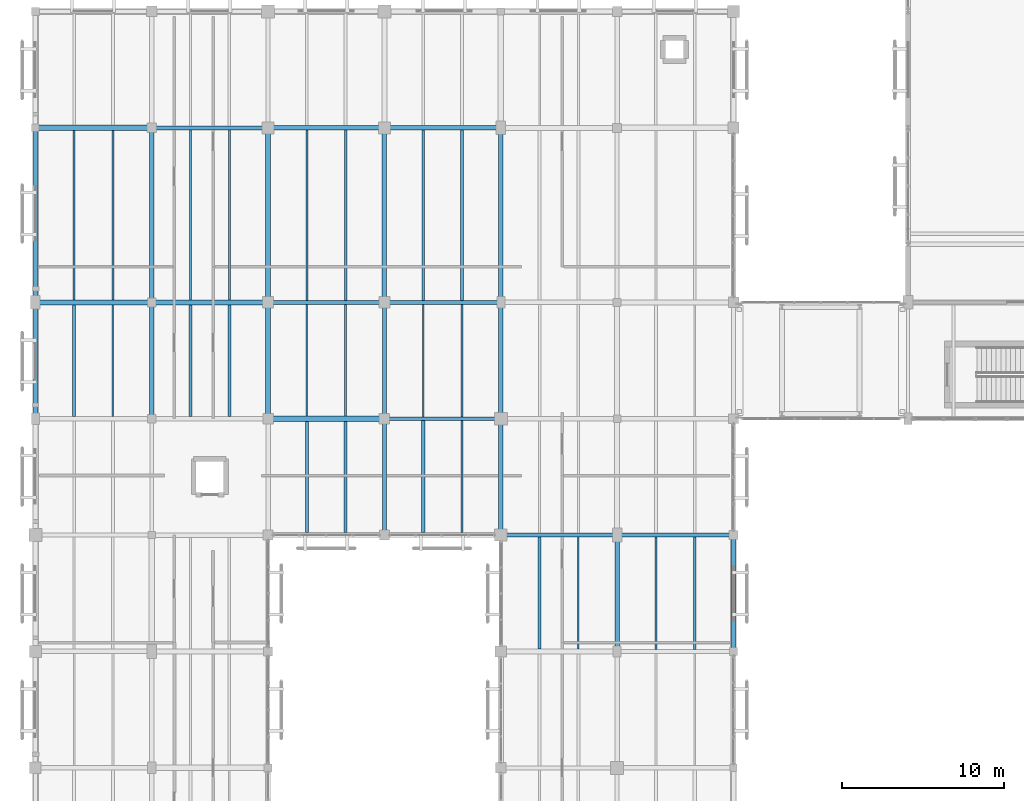
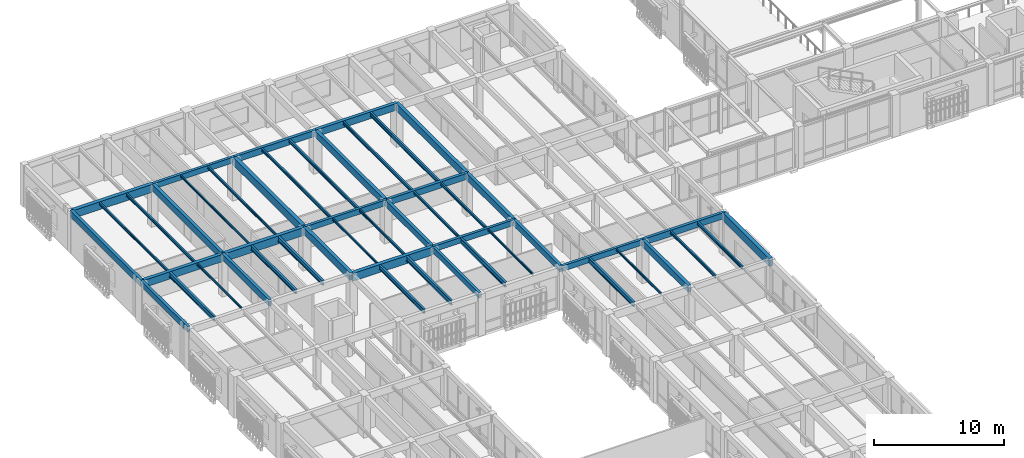
# One storey, part 62 of 170: 50 beams.
"""IFC4 building model written with IfcOpenShell, lengths in metres."""

from ifc_helpers import new_model, si_unit, direction, frame, origin, origin_2d, place, context, subcontext, project, spatial, rectangle, i_section, extrude, material, material_profile, profile_set, type_object, element, save


model = new_model("IFC4")

# Units and contexts
model_context = context("Model", 3, precision=1e-05, world=origin(), true_north=direction((0.0, 1.0)))
body_context = subcontext(model_context, "Body", "Model", "MODEL_VIEW")
ifc_project = project(units=[si_unit("LENGTHUNIT", "METRE"), si_unit("AREAUNIT", "SQUARE_METRE"), si_unit("VOLUMEUNIT", "CUBIC_METRE"), si_unit("PLANEANGLEUNIT", "RADIAN"), si_unit("MASSUNIT", "GRAM", prefix="KILO")], contexts=[model_context])

# Site, building, storey
site_placement = place(None, origin())
site = spatial("IfcSite", under=ifc_project, at=site_placement, CompositionType="ELEMENT")
building_placement = place(site_placement, origin())
building = spatial("IfcBuilding", under=site, at=building_placement, Name="Mazaris Harbour Polytechnic", CompositionType="ELEMENT")
storey_placement = place(building_placement, frame((0.0, 0.0, 5.39990234375)))
storey = spatial("IfcBuildingStorey", under=building, at=storey_placement, Name="L01", CompositionType="ELEMENT", Elevation=5.39990234375)

# Beams
ifc_material_1 = material(Name="Glulam GL32h", Category="wood")
ifc_material_profile_1 = material_profile(ifc_material_1, rectangle(XDim=0.239990234375, YDim=0.52001953125, at=origin_2d()), Name="RECT240x520")
ifc_profile_set_1 = profile_set([ifc_material_profile_1], Name="Glulam GL32h")
beam_type_1 = type_object("IfcBeamType", Name="Glulam Girder 240x520", PredefinedType="BEAM", material=ifc_profile_set_1)
for number, where, z_axis, x_axis, name in (
    (1, (28.800048828125, 68.39990234375, 3.630126953125), (1.0, 0.0, 0.0), (0.0, 1.0, 0.0), "V4 L01 Girder 1670"),
    (2, (21.60009765625, 75.60009765625, 3.630126953125), (1.0, 0.0, 0.0), (0.0, 1.0, 0.0), "V4 L01 Girder 1675"),
):
    element("IfcBeam", number, at=place(storey_placement, frame(where, z_axis=z_axis, x_axis=x_axis)), inside=storey, type_object=beam_type_1, Name=name, PredefinedType="BEAM", context=body_context, shape_type="SweptSolid", body=[
        extrude(rectangle(XDim=0.239990234375, YDim=0.52001953125, at=origin_2d()), origin(), (0.0, 0.0, 1.0), 7.199951171875),
    ])
beam_1_placement = place(storey_placement, frame((14.39990234375, 82.800048828125, 3.630126953125), z_axis=(1.0, 0.0, 0.0), x_axis=(0.0, 1.0, 0.0)))
element("IfcBeam", 3, at=beam_1_placement, inside=storey, type_object=beam_type_1, Name="V4 L01 Girder 1680", PredefinedType="BEAM", context=body_context, shape_type="SweptSolid", body=[
    extrude(rectangle(XDim=0.239990234375, YDim=0.52001953125, at=origin_2d()), origin(), (0.0, 0.0, 1.0), 7.2001953125),
])
beam_2_placement = place(storey_placement, frame((7.199951171875, 93.60009765625, 3.630126953125), z_axis=(1.0, 0.0, 0.0), x_axis=(0.0, 1.0, 0.0)))
element("IfcBeam", 4, at=beam_2_placement, inside=storey, type_object=beam_type_1, Name="V4 L01 Girder 1685", PredefinedType="BEAM", context=body_context, shape_type="SweptSolid", body=[
    extrude(rectangle(XDim=0.239990234375, YDim=0.52001953125, at=origin_2d()), origin(), (0.0, 0.0, 1.0), 7.199951171875),
])
beam_3_placement = place(storey_placement, frame((21.60009765625, 68.39990234375, 3.630126953125), z_axis=(0.0, 1.0, 0.0), x_axis=(-1.0, 0.0, 0.0)))
element("IfcBeam", 5, at=beam_3_placement, inside=storey, type_object=beam_type_1, Name="V4 L01 Tie Girder 1735", PredefinedType="BEAM", context=body_context, shape_type="SweptSolid", body=[
    extrude(rectangle(XDim=0.239990234375, YDim=0.52001953125, at=origin_2d()), origin(), (0.0, 0.0, 1.0), 7.2001953125),
])
ifc_material_2 = material(Name="Glulam GL32h", Category="wood")
ifc_material_profile_2 = material_profile(ifc_material_2, rectangle(XDim=0.239990234375, YDim=0.52001953125, at=origin_2d()), Name="RECT240x520")
ifc_profile_set_2 = profile_set([ifc_material_profile_2], Name="Glulam GL32h")
beam_type_2 = type_object("IfcBeamType", Name="Glulam Girder 240x520 Exterior", PredefinedType="BEAM", material=ifc_profile_set_2)
beam_4_placement = place(storey_placement, frame((0.0, 75.60009765625, 3.630126953125), z_axis=(0.0, 1.0, 0.0), x_axis=(-1.0, 0.0, 0.0)))
element("IfcBeam", 6, at=beam_4_placement, inside=storey, type_object=beam_type_2, Name="V4 L01 Tie Girder 1705", PredefinedType="BEAM", context=body_context, shape_type="SweptSolid", body=[
    extrude(rectangle(XDim=0.239990234375, YDim=0.52001953125, at=origin_2d()), origin(), (0.0, 0.0, 1.0), 7.199951171875),
])
ifc_material_3 = material(Name="Glulam GL32h", Category="wood")
ifc_material_profile_3 = material_profile(ifc_material_3, rectangle(XDim=0.260009765625, YDim=0.580078125, at=origin_2d()), Name="RECT260x580")
ifc_profile_set_3 = profile_set([ifc_material_profile_3], Name="Glulam GL32h")
beam_type_3 = type_object("IfcBeamType", Name="Glulam Girder 260x580", PredefinedType="BEAM", material=ifc_profile_set_3)
for number, where, z_axis, x_axis, name in (
    (7, (36.0, 68.39990234375, 3.60009765625), (1.0, 0.0, 0.0), (0.0, 1.0, 0.0), "V4 L01 Girder 1671"),
    (8, (21.60009765625, 82.800048828125, 3.60009765625), (1.0, 0.0, 0.0), (0.0, 1.0, 0.0), "V4 L01 Girder 1681"),
):
    element("IfcBeam", number, at=place(storey_placement, frame(where, z_axis=z_axis, x_axis=x_axis)), inside=storey, type_object=beam_type_3, Name=name, PredefinedType="BEAM", context=body_context, shape_type="SweptSolid", body=[
        extrude(rectangle(XDim=0.260009765625, YDim=0.580078125, at=origin_2d()), origin(), (0.0, 0.0, 1.0), 7.199951171875),
    ])
beam_5_placement = place(storey_placement, frame((14.39990234375, 93.60009765625, 3.60009765625), z_axis=(1.0, 0.0, 0.0), x_axis=(0.0, 1.0, 0.0)))
element("IfcBeam", 9, at=beam_5_placement, inside=storey, type_object=beam_type_3, Name="V4 L01 Girder 1686", PredefinedType="BEAM", context=body_context, shape_type="SweptSolid", body=[
    extrude(rectangle(XDim=0.260009765625, YDim=0.580078125, at=origin_2d()), origin(), (0.0, 0.0, 1.0), 7.2001953125),
])
for number, where, z_axis, x_axis, name in (
    (10, (7.199951171875, 75.60009765625, 3.60009765625), (0.0, 1.0, 0.0), (-1.0, 0.0, 0.0), "V4 L01 Tie Girder 1716"),
    (11, (21.60009765625, 75.60009765625, 3.60009765625), (0.0, 1.0, 0.0), (-1.0, 0.0, 0.0), "V4 L01 Tie Girder 1736"),
):
    element("IfcBeam", number, at=place(storey_placement, frame(where, z_axis=z_axis, x_axis=x_axis)), inside=storey, type_object=beam_type_3, Name=name, PredefinedType="BEAM", context=body_context, shape_type="SweptSolid", body=[
        extrude(rectangle(XDim=0.260009765625, YDim=0.580078125, at=origin_2d()), origin(), (0.0, 0.0, 1.0), 7.199951171875),
    ])
beam_6_placement = place(storey_placement, frame((28.800048828125, 68.39990234375, 3.60009765625), z_axis=(0.0, 1.0, 0.0), x_axis=(-1.0, 0.0, 0.0)))
element("IfcBeam", 12, at=beam_6_placement, inside=storey, type_object=beam_type_3, Name="V4 L01 Tie Girder 1746", PredefinedType="BEAM", context=body_context, shape_type="SweptSolid", body=[
    extrude(rectangle(XDim=0.260009765625, YDim=0.580078125, at=origin_2d()), origin(), (0.0, 0.0, 1.0), 7.2001953125),
])
ifc_material_4 = material(Name="Glulam GL32h", Category="wood")
ifc_material_profile_4 = material_profile(ifc_material_4, rectangle(XDim=0.260009765625, YDim=0.580078125, at=origin_2d()), Name="RECT260x580")
ifc_profile_set_4 = profile_set([ifc_material_profile_4], Name="Glulam GL32h")
beam_type_4 = type_object("IfcBeamType", Name="Glulam Girder 260x580 Exterior", PredefinedType="BEAM", material=ifc_profile_set_4)
beam_7_placement = place(storey_placement, frame((0.0, 82.800048828125, 3.60009765625), z_axis=(0.0, 1.0, 0.0), x_axis=(-1.0, 0.0, 0.0)))
element("IfcBeam", 13, at=beam_7_placement, inside=storey, type_object=beam_type_4, Name="V4 L01 Tie Girder 1706", PredefinedType="BEAM", context=body_context, shape_type="SweptSolid", body=[
    extrude(rectangle(XDim=0.260009765625, YDim=0.580078125, at=origin_2d()), origin(), (0.0, 0.0, 1.0), 10.800048828125),
])
ifc_material_5 = material(Name="Glulam GL32h", Category="wood")
ifc_material_profile_5 = material_profile(ifc_material_5, rectangle(XDim=0.280029296875, YDim=0.639892578125, at=origin_2d()), Name="RECT280x640")
ifc_profile_set_5 = profile_set([ifc_material_profile_5], Name="Glulam GL32h")
beam_type_5 = type_object("IfcBeamType", Name="Glulam Girder 280x640", PredefinedType="BEAM", material=ifc_profile_set_5)
beam_8_placement = place(storey_placement, frame((21.60009765625, 93.60009765625, 3.570068359375), z_axis=(1.0, 0.0, 0.0), x_axis=(0.0, 1.0, 0.0)))
element("IfcBeam", 14, at=beam_8_placement, inside=storey, type_object=beam_type_5, Name="V4 L01 Girder 1687", PredefinedType="BEAM", context=body_context, shape_type="SweptSolid", body=[
    extrude(rectangle(XDim=0.280029296875, YDim=0.639892578125, at=origin_2d()), origin(), (0.0, 0.0, 1.0), 7.199951171875),
])
for number, where, z_axis, x_axis, name in (
    (15, (7.199951171875, 82.800048828125, 3.570068359375), (0.0, 1.0, 0.0), (-1.0, 0.0, 0.0), "V4 L01 Tie Girder 1717"),
    (16, (21.60009765625, 82.800048828125, 3.570068359375), (0.0, 1.0, 0.0), (-1.0, 0.0, 0.0), "V4 L01 Tie Girder 1737"),
):
    element("IfcBeam", number, at=place(storey_placement, frame(where, z_axis=z_axis, x_axis=x_axis)), inside=storey, type_object=beam_type_5, Name=name, PredefinedType="BEAM", context=body_context, shape_type="SweptSolid", body=[
        extrude(rectangle(XDim=0.280029296875, YDim=0.639892578125, at=origin_2d()), origin(), (0.0, 0.0, 1.0), 10.800048828125),
    ])
for number, where, z_axis, x_axis, name in (
    (17, (28.800048828125, 75.60009765625, 3.570068359375), (0.0, 1.0, 0.0), (-1.0, 0.0, 0.0), "V4 L01 Tie Girder 1747"),
    (18, (36.0, 61.199951171875, 3.570068359375), (0.0, 1.0, 0.0), (-1.0, 0.0, 0.0), "V4 L01 Tie Girder 1757"),
):
    element("IfcBeam", number, at=place(storey_placement, frame(where, z_axis=z_axis, x_axis=x_axis)), inside=storey, type_object=beam_type_5, Name=name, PredefinedType="BEAM", context=body_context, shape_type="SweptSolid", body=[
        extrude(rectangle(XDim=0.280029296875, YDim=0.639892578125, at=origin_2d()), origin(), (0.0, 0.0, 1.0), 7.199951171875),
    ])
ifc_material_6 = material(Name="Glulam GL32h", Category="wood")
ifc_material_profile_6 = material_profile(ifc_material_6, rectangle(XDim=0.300048828125, YDim=0.679931640625, at=origin_2d()), Name="RECT300x680")
ifc_profile_set_6 = profile_set([ifc_material_profile_6], Name="Glulam GL32h")
beam_type_6 = type_object("IfcBeamType", Name="Glulam Girder 300x680", PredefinedType="BEAM", material=ifc_profile_set_6)
for number, where, z_axis, x_axis, name in (
    (19, (0.0, 82.800048828125, 3.550048828125), (1.0, 0.0, 0.0), (0.0, 1.0, 0.0), "V4 L01 Girder 1678"),
    (20, (14.39990234375, 75.60009765625, 3.550048828125), (0.0, 1.0, 0.0), (-1.0, 0.0, 0.0), "V4 L01 Tie Girder 1728"),
):
    element("IfcBeam", number, at=place(storey_placement, frame(where, z_axis=z_axis, x_axis=x_axis)), inside=storey, type_object=beam_type_6, Name=name, PredefinedType="BEAM", context=body_context, shape_type="SweptSolid", body=[
        extrude(rectangle(XDim=0.300048828125, YDim=0.679931640625, at=origin_2d()), origin(), (0.0, 0.0, 1.0), 7.199951171875),
    ])
beam_9_placement = place(storey_placement, frame((28.800048828125, 82.800048828125, 3.550048828125), z_axis=(0.0, 1.0, 0.0), x_axis=(-1.0, 0.0, 0.0)))
element("IfcBeam", 21, at=beam_9_placement, inside=storey, type_object=beam_type_6, Name="V4 L01 Tie Girder 1748", PredefinedType="BEAM", context=body_context, shape_type="SweptSolid", body=[
    extrude(rectangle(XDim=0.300048828125, YDim=0.679931640625, at=origin_2d()), origin(), (0.0, 0.0, 1.0), 10.800048828125),
])
ifc_material_7 = material(Name="Glulam GL32h", Category="wood")
ifc_material_profile_7 = material_profile(ifc_material_7, rectangle(XDim=0.320068359375, YDim=0.739990234375, at=origin_2d()), Name="RECT320x740")
ifc_profile_set_7 = profile_set([ifc_material_profile_7], Name="Glulam GL32h")
beam_type_7 = type_object("IfcBeamType", Name="Glulam Girder 320x740", PredefinedType="BEAM", material=ifc_profile_set_7)
beam_10_placement = place(storey_placement, frame((14.39990234375, 75.60009765625, 3.52001953125), z_axis=(1.0, 0.0, 0.0), x_axis=(0.0, 1.0, 0.0)))
element("IfcBeam", 22, at=beam_10_placement, inside=storey, type_object=beam_type_7, Name="V4 L01 Girder 1674", PredefinedType="BEAM", context=body_context, shape_type="SweptSolid", body=[
    extrude(rectangle(XDim=0.320068359375, YDim=0.739990234375, at=origin_2d()), origin(), (0.0, 0.0, 1.0), 7.2001953125),
])
for number, where, z_axis, x_axis, name in (
    (23, (7.199951171875, 82.800048828125, 3.52001953125), (1.0, 0.0, 0.0), (0.0, 1.0, 0.0), "V4 L01 Girder 1679"),
    (24, (0.0, 93.60009765625, 3.52001953125), (1.0, 0.0, 0.0), (0.0, 1.0, 0.0), "V4 L01 Girder 1684"),
):
    element("IfcBeam", number, at=place(storey_placement, frame(where, z_axis=z_axis, x_axis=x_axis)), inside=storey, type_object=beam_type_7, Name=name, PredefinedType="BEAM", context=body_context, shape_type="SweptSolid", body=[
        extrude(rectangle(XDim=0.320068359375, YDim=0.739990234375, at=origin_2d()), origin(), (0.0, 0.0, 1.0), 7.199951171875),
    ])
beam_11_placement = place(storey_placement, frame((14.39990234375, 82.800048828125, 3.52001953125), z_axis=(0.0, 1.0, 0.0), x_axis=(-1.0, 0.0, 0.0)))
element("IfcBeam", 25, at=beam_11_placement, inside=storey, type_object=beam_type_7, Name="V4 L01 Tie Girder 1729", PredefinedType="BEAM", context=body_context, shape_type="SweptSolid", body=[
    extrude(rectangle(XDim=0.320068359375, YDim=0.739990234375, at=origin_2d()), origin(), (0.0, 0.0, 1.0), 10.800048828125),
])
ifc_material_8 = material(Name="Glulam GL32h", Category="wood")
ifc_material_profile_8 = material_profile(ifc_material_8, rectangle(XDim=0.320068359375, YDim=0.739990234375, at=origin_2d()), Name="RECT320x740")
ifc_profile_set_8 = profile_set([ifc_material_profile_8], Name="Glulam GL32h")
beam_type_8 = type_object("IfcBeamType", Name="Glulam Girder 320x740 Exterior", PredefinedType="BEAM", material=ifc_profile_set_8)
beam_12_placement = place(storey_placement, frame((43.199951171875, 61.199951171875, 3.52001953125), z_axis=(0.0, 1.0, 0.0), x_axis=(-1.0, 0.0, 0.0)))
element("IfcBeam", 26, at=beam_12_placement, inside=storey, type_object=beam_type_8, Name="V4 L01 Tie Girder 1769", PredefinedType="BEAM", context=body_context, shape_type="SweptSolid", body=[
    extrude(rectangle(XDim=0.320068359375, YDim=0.739990234375, at=origin_2d()), origin(), (0.0, 0.0, 1.0), 7.199951171875),
])
ifc_material_9 = material(Name="Steel S355", Category="steel")
ifc_material_profile_9 = material_profile(ifc_material_9, i_section(OverallWidth=0.10009765625, OverallDepth=0.199951171875, WebThickness=0.005615234375, FlangeThickness=0.008544921875, FilletRadius=0.011962890625, at=origin_2d()), Name="IPE 200")
ifc_profile_set_9 = profile_set([ifc_material_profile_9], Name="Steel S355")
beam_type_9 = type_object("IfcBeamType", Name="Steel Joist IPE200", PredefinedType="JOIST", material=ifc_profile_set_9)
beam_13_placement = place(storey_placement, frame((4.800048828125, 75.739990234375, 3.7900390625), z_axis=(0.0, 1.0, 0.0), x_axis=(-1.0, 0.0, 0.0)))
element("IfcBeam", 27, at=beam_13_placement, inside=storey, type_object=beam_type_9, Name="V4 L01 Floor Joist 1792", PredefinedType="JOIST", context=body_context, shape_type="SweptSolid", body=[
    extrude(i_section(OverallWidth=0.10009765625, OverallDepth=0.199951171875, WebThickness=0.005615234375, FlangeThickness=0.008544921875, FilletRadius=0.011962890625, at=origin_2d()), origin(), (0.0, 0.0, 1.0), 6.909912109375),
])
beam_14_placement = place(storey_placement, frame((9.60009765625, 82.9599609375, 3.7900390625), z_axis=(0.0, 1.0, 0.0), x_axis=(-1.0, 0.0, 0.0)))
element("IfcBeam", 28, at=beam_14_placement, inside=storey, type_object=beam_type_9, Name="V4 L01 Floor Joist 1813", PredefinedType="JOIST", context=body_context, shape_type="SweptSolid", body=[
    extrude(i_section(OverallWidth=0.10009765625, OverallDepth=0.199951171875, WebThickness=0.005615234375, FlangeThickness=0.008544921875, FilletRadius=0.011962890625, at=origin_2d()), origin(), (0.0, 0.0, 1.0), 10.52001953125),
])
for number, where, z_axis, x_axis, name in (
    (29, (16.800048828125, 75.760009765625, 3.7900390625), (0.0, 1.0, 0.0), (-1.0, 0.0, 0.0), "V4 L01 Floor Joist 1827"),
    (30, (26.39990234375, 68.56005859375, 3.7900390625), (0.0, 1.0, 0.0), (-1.0, 0.0, 0.0), "V4 L01 Floor Joist 1841"),
    (31, (33.60009765625, 61.360107421875, 3.7900390625), (0.0, 1.0, 0.0), (-1.0, 0.0, 0.0), "V4 L01 Floor Joist 1862"),
):
    element("IfcBeam", number, at=place(storey_placement, frame(where, z_axis=z_axis, x_axis=x_axis)), inside=storey, type_object=beam_type_9, Name=name, PredefinedType="JOIST", context=body_context, shape_type="SweptSolid", body=[
        extrude(i_section(OverallWidth=0.10009765625, OverallDepth=0.199951171875, WebThickness=0.005615234375, FlangeThickness=0.008544921875, FilletRadius=0.011962890625, at=origin_2d()), origin(), (0.0, 0.0, 1.0), 6.919921875),
    ])
ifc_material_10 = material(Name="Steel S355", Category="steel")
ifc_material_profile_10 = material_profile(ifc_material_10, i_section(OverallWidth=0.1201171875, OverallDepth=0.239990234375, WebThickness=0.006103515625, FlangeThickness=0.009765625, FilletRadius=0.014892578125, at=origin_2d()), Name="IPE 240")
ifc_profile_set_10 = profile_set([ifc_material_profile_10], Name="Steel S355")
beam_type_10 = type_object("IfcBeamType", Name="Steel Joist IPE240", PredefinedType="JOIST", material=ifc_profile_set_10)
beam_15_placement = place(storey_placement, frame((2.39990234375, 82.949951171875, 3.77001953125), z_axis=(0.0, 1.0, 0.0), x_axis=(-1.0, 0.0, 0.0)))
element("IfcBeam", 32, at=beam_15_placement, inside=storey, type_object=beam_type_10, Name="V4 L01 Floor Joist 1793", PredefinedType="JOIST", context=body_context, shape_type="SweptSolid", body=[
    extrude(i_section(OverallWidth=0.1201171875, OverallDepth=0.239990234375, WebThickness=0.006103515625, FlangeThickness=0.009765625, FilletRadius=0.014892578125, at=origin_2d()), origin(), (0.0, 0.0, 1.0), 10.489990234375),
])
beam_16_placement = place(storey_placement, frame((12.0, 82.9599609375, 3.77001953125), z_axis=(0.0, 1.0, 0.0), x_axis=(-1.0, 0.0, 0.0)))
element("IfcBeam", 33, at=beam_16_placement, inside=storey, type_object=beam_type_10, Name="V4 L01 Floor Joist 1814", PredefinedType="JOIST", context=body_context, shape_type="SweptSolid", body=[
    extrude(i_section(OverallWidth=0.1201171875, OverallDepth=0.239990234375, WebThickness=0.006103515625, FlangeThickness=0.009765625, FilletRadius=0.014892578125, at=origin_2d()), origin(), (0.0, 0.0, 1.0), 10.52001953125),
])
beam_17_placement = place(storey_placement, frame((19.199951171875, 75.760009765625, 3.77001953125), z_axis=(0.0, 1.0, 0.0), x_axis=(-1.0, 0.0, 0.0)))
element("IfcBeam", 34, at=beam_17_placement, inside=storey, type_object=beam_type_10, Name="V4 L01 Floor Joist 1828", PredefinedType="JOIST", context=body_context, shape_type="SweptSolid", body=[
    extrude(i_section(OverallWidth=0.1201171875, OverallDepth=0.239990234375, WebThickness=0.006103515625, FlangeThickness=0.009765625, FilletRadius=0.014892578125, at=origin_2d()), origin(), (0.0, 0.0, 1.0), 6.919921875),
])
beam_18_placement = place(storey_placement, frame((24.0, 75.719970703125, 3.77001953125), z_axis=(0.0, 1.0, 0.0), x_axis=(-1.0, 0.0, 0.0)))
element("IfcBeam", 35, at=beam_18_placement, inside=storey, type_object=beam_type_10, Name="V4 L01 Floor Joist 1842", PredefinedType="JOIST", context=body_context, shape_type="SweptSolid", body=[
    extrude(i_section(OverallWidth=0.1201171875, OverallDepth=0.239990234375, WebThickness=0.006103515625, FlangeThickness=0.009765625, FilletRadius=0.014892578125, at=origin_2d()), origin(), (0.0, 0.0, 1.0), 6.949951171875),
])
ifc_material_11 = material(Name="Steel S355", Category="steel")
ifc_material_profile_11 = material_profile(ifc_material_11, i_section(OverallWidth=0.135009765625, OverallDepth=0.27001953125, WebThickness=0.006591796875, FlangeThickness=0.01025390625, FilletRadius=0.014892578125, at=origin_2d()), Name="IPE 270")
ifc_profile_set_11 = profile_set([ifc_material_profile_11], Name="Steel S355")
beam_type_11 = type_object("IfcBeamType", Name="Steel Joist IPE270", PredefinedType="JOIST", material=ifc_profile_set_11)
beam_19_placement = place(storey_placement, frame((4.800048828125, 82.949951171875, 3.755126953125), z_axis=(0.0, 1.0, 0.0), x_axis=(-1.0, 0.0, 0.0)))
element("IfcBeam", 36, at=beam_19_placement, inside=storey, type_object=beam_type_11, Name="V4 L01 Floor Joist 1794", PredefinedType="JOIST", context=body_context, shape_type="SweptSolid", body=[
    extrude(i_section(OverallWidth=0.135009765625, OverallDepth=0.27001953125, WebThickness=0.006591796875, FlangeThickness=0.01025390625, FilletRadius=0.014892578125, at=origin_2d()), origin(), (0.0, 0.0, 1.0), 10.489990234375),
])
beam_20_placement = place(storey_placement, frame((16.800048828125, 82.919921875, 3.755126953125), z_axis=(0.0, 1.0, 0.0), x_axis=(-1.0, 0.0, 0.0)))
element("IfcBeam", 37, at=beam_20_placement, inside=storey, type_object=beam_type_11, Name="V4 L01 Floor Joist 1829", PredefinedType="JOIST", context=body_context, shape_type="SweptSolid", body=[
    extrude(i_section(OverallWidth=0.135009765625, OverallDepth=0.27001953125, WebThickness=0.006591796875, FlangeThickness=0.01025390625, FilletRadius=0.014892578125, at=origin_2d()), origin(), (0.0, 0.0, 1.0), 10.550048828125),
])
for number, where, z_axis, x_axis, name in (
    (38, (26.39990234375, 75.719970703125, 3.755126953125), (0.0, 1.0, 0.0), (-1.0, 0.0, 0.0), "V4 L01 Floor Joist 1843"),
    (39, (38.39990234375, 61.320068359375, 3.755126953125), (0.0, 1.0, 0.0), (-1.0, 0.0, 0.0), "V4 L01 Floor Joist 1885"),
):
    element("IfcBeam", number, at=place(storey_placement, frame(where, z_axis=z_axis, x_axis=x_axis)), inside=storey, type_object=beam_type_11, Name=name, PredefinedType="JOIST", context=body_context, shape_type="SweptSolid", body=[
        extrude(i_section(OverallWidth=0.135009765625, OverallDepth=0.27001953125, WebThickness=0.006591796875, FlangeThickness=0.01025390625, FilletRadius=0.014892578125, at=origin_2d()), origin(), (0.0, 0.0, 1.0), 6.949951171875),
    ])
ifc_material_12 = material(Name="Steel S355", Category="steel")
ifc_material_profile_12 = material_profile(ifc_material_12, i_section(OverallWidth=0.14990234375, OverallDepth=0.300048828125, WebThickness=0.007080078125, FlangeThickness=0.0107421875, FilletRadius=0.014892578125, at=origin_2d()), Name="IPE 300")
ifc_profile_set_12 = profile_set([ifc_material_profile_12], Name="Steel S355")
beam_type_12 = type_object("IfcBeamType", Name="Steel Joist IPE300", PredefinedType="JOIST", material=ifc_profile_set_12)
beam_21_placement = place(storey_placement, frame((19.199951171875, 82.919921875, 3.739990234375), z_axis=(0.0, 1.0, 0.0), x_axis=(-1.0, 0.0, 0.0)))
element("IfcBeam", 40, at=beam_21_placement, inside=storey, type_object=beam_type_12, Name="V4 L01 Floor Joist 1830", PredefinedType="JOIST", context=body_context, shape_type="SweptSolid", body=[
    extrude(i_section(OverallWidth=0.14990234375, OverallDepth=0.300048828125, WebThickness=0.007080078125, FlangeThickness=0.0107421875, FilletRadius=0.014892578125, at=origin_2d()), origin(), (0.0, 0.0, 1.0), 10.550048828125),
])
beam_22_placement = place(storey_placement, frame((24.0, 82.929931640625, 3.739990234375), z_axis=(0.0, 1.0, 0.0), x_axis=(-1.0, 0.0, 0.0)))
element("IfcBeam", 41, at=beam_22_placement, inside=storey, type_object=beam_type_12, Name="V4 L01 Floor Joist 1844", PredefinedType="JOIST", context=body_context, shape_type="SweptSolid", body=[
    extrude(i_section(OverallWidth=0.14990234375, OverallDepth=0.300048828125, WebThickness=0.007080078125, FlangeThickness=0.0107421875, FilletRadius=0.014892578125, at=origin_2d()), origin(), (0.0, 0.0, 1.0), 10.530029296875),
])
beam_23_placement = place(storey_placement, frame((40.800048828125, 61.320068359375, 3.739990234375), z_axis=(0.0, 1.0, 0.0), x_axis=(-1.0, 0.0, 0.0)))
element("IfcBeam", 42, at=beam_23_placement, inside=storey, type_object=beam_type_12, Name="V4 L01 Floor Joist 1886", PredefinedType="JOIST", context=body_context, shape_type="SweptSolid", body=[
    extrude(i_section(OverallWidth=0.14990234375, OverallDepth=0.300048828125, WebThickness=0.007080078125, FlangeThickness=0.0107421875, FilletRadius=0.014892578125, at=origin_2d()), origin(), (0.0, 0.0, 1.0), 6.949951171875),
])
ifc_material_13 = material(Name="Steel S355", Category="steel")
ifc_material_profile_13 = material_profile(ifc_material_13, i_section(OverallWidth=0.169921875, OverallDepth=0.360107421875, WebThickness=0.008056640625, FlangeThickness=0.0126953125, FilletRadius=0.01806640625, at=origin_2d()), Name="IPE 360")
ifc_profile_set_13 = profile_set([ifc_material_profile_13], Name="Steel S355")
beam_type_13 = type_object("IfcBeamType", Name="Steel Joist IPE360", PredefinedType="JOIST", material=ifc_profile_set_13)
beam_24_placement = place(storey_placement, frame((26.39990234375, 82.929931640625, 3.710205078125), z_axis=(0.0, 1.0, 0.0), x_axis=(-1.0, 0.0, 0.0)))
element("IfcBeam", 43, at=beam_24_placement, inside=storey, type_object=beam_type_13, Name="V4 L01 Floor Joist 1845", PredefinedType="JOIST", context=body_context, shape_type="SweptSolid", body=[
    extrude(i_section(OverallWidth=0.169921875, OverallDepth=0.360107421875, WebThickness=0.008056640625, FlangeThickness=0.0126953125, FilletRadius=0.01806640625, at=origin_2d()), origin(), (0.0, 0.0, 1.0), 10.530029296875),
])
ifc_material_14 = material(Name="Steel S355", Category="steel")
ifc_material_profile_14 = material_profile(ifc_material_14, i_section(OverallWidth=0.179931640625, OverallDepth=0.39990234375, WebThickness=0.008544921875, FlangeThickness=0.013427734375, FilletRadius=0.02099609375, at=origin_2d()), Name="IPE 400")
ifc_profile_set_14 = profile_set([ifc_material_profile_14], Name="Steel S355")
beam_type_14 = type_object("IfcBeamType", Name="Steel Joist IPE400", PredefinedType="JOIST", material=ifc_profile_set_14)
for number, where, z_axis, x_axis, name in (
    (44, (9.60009765625, 75.75, 3.690185546875), (0.0, 1.0, 0.0), (-1.0, 0.0, 0.0), "V4 L01 Floor Joist 1811"),
    (45, (16.800048828125, 68.550048828125, 3.690185546875), (0.0, 1.0, 0.0), (-1.0, 0.0, 0.0), "V4 L01 Floor Joist 1825"),
):
    element("IfcBeam", number, at=place(storey_placement, frame(where, z_axis=z_axis, x_axis=x_axis)), inside=storey, type_object=beam_type_14, Name=name, PredefinedType="JOIST", context=body_context, shape_type="SweptSolid", body=[
        extrude(i_section(OverallWidth=0.179931640625, OverallDepth=0.39990234375, WebThickness=0.008544921875, FlangeThickness=0.013427734375, FilletRadius=0.02099609375, at=origin_2d()), origin(), (0.0, 0.0, 1.0), 6.889892578125),
    ])
ifc_material_15 = material(Name="Steel S355", Category="steel")
ifc_material_profile_15 = material_profile(ifc_material_15, i_section(OverallWidth=0.18994140625, OverallDepth=0.449951171875, WebThickness=0.009521484375, FlangeThickness=0.0146484375, FilletRadius=0.02099609375, at=origin_2d()), Name="IPE 450")
ifc_profile_set_15 = profile_set([ifc_material_profile_15], Name="Steel S355")
beam_type_15 = type_object("IfcBeamType", Name="Steel Joist IPE450", PredefinedType="JOIST", material=ifc_profile_set_15)
beam_25_placement = place(storey_placement, frame((2.39990234375, 75.739990234375, 3.6650390625), z_axis=(0.0, 1.0, 0.0), x_axis=(-1.0, 0.0, 0.0)))
element("IfcBeam", 46, at=beam_25_placement, inside=storey, type_object=beam_type_15, Name="V4 L01 Floor Joist 1791", PredefinedType="JOIST", context=body_context, shape_type="SweptSolid", body=[
    extrude(i_section(OverallWidth=0.18994140625, OverallDepth=0.449951171875, WebThickness=0.009521484375, FlangeThickness=0.0146484375, FilletRadius=0.02099609375, at=origin_2d()), origin(), (0.0, 0.0, 1.0), 6.909912109375),
])
for number, where, z_axis, x_axis, name in (
    (47, (12.0, 75.75, 3.6650390625), (0.0, 1.0, 0.0), (-1.0, 0.0, 0.0), "V4 L01 Floor Joist 1812"),
    (48, (19.199951171875, 68.550048828125, 3.6650390625), (0.0, 1.0, 0.0), (-1.0, 0.0, 0.0), "V4 L01 Floor Joist 1826"),
):
    element("IfcBeam", number, at=place(storey_placement, frame(where, z_axis=z_axis, x_axis=x_axis)), inside=storey, type_object=beam_type_15, Name=name, PredefinedType="JOIST", context=body_context, shape_type="SweptSolid", body=[
        extrude(i_section(OverallWidth=0.18994140625, OverallDepth=0.449951171875, WebThickness=0.009521484375, FlangeThickness=0.0146484375, FilletRadius=0.02099609375, at=origin_2d()), origin(), (0.0, 0.0, 1.0), 6.889892578125),
    ])
for number, where, z_axis, x_axis, name in (
    (49, (24.0, 68.56005859375, 3.6650390625), (0.0, 1.0, 0.0), (-1.0, 0.0, 0.0), "V4 L01 Floor Joist 1840"),
    (50, (31.199951171875, 61.360107421875, 3.6650390625), (0.0, 1.0, 0.0), (-1.0, 0.0, 0.0), "V4 L01 Floor Joist 1861"),
):
    element("IfcBeam", number, at=place(storey_placement, frame(where, z_axis=z_axis, x_axis=x_axis)), inside=storey, type_object=beam_type_15, Name=name, PredefinedType="JOIST", context=body_context, shape_type="SweptSolid", body=[
        extrude(i_section(OverallWidth=0.18994140625, OverallDepth=0.449951171875, WebThickness=0.009521484375, FlangeThickness=0.0146484375, FilletRadius=0.02099609375, at=origin_2d()), origin(), (0.0, 0.0, 1.0), 6.919921875),
    ])

save(model, "model.ifc")
